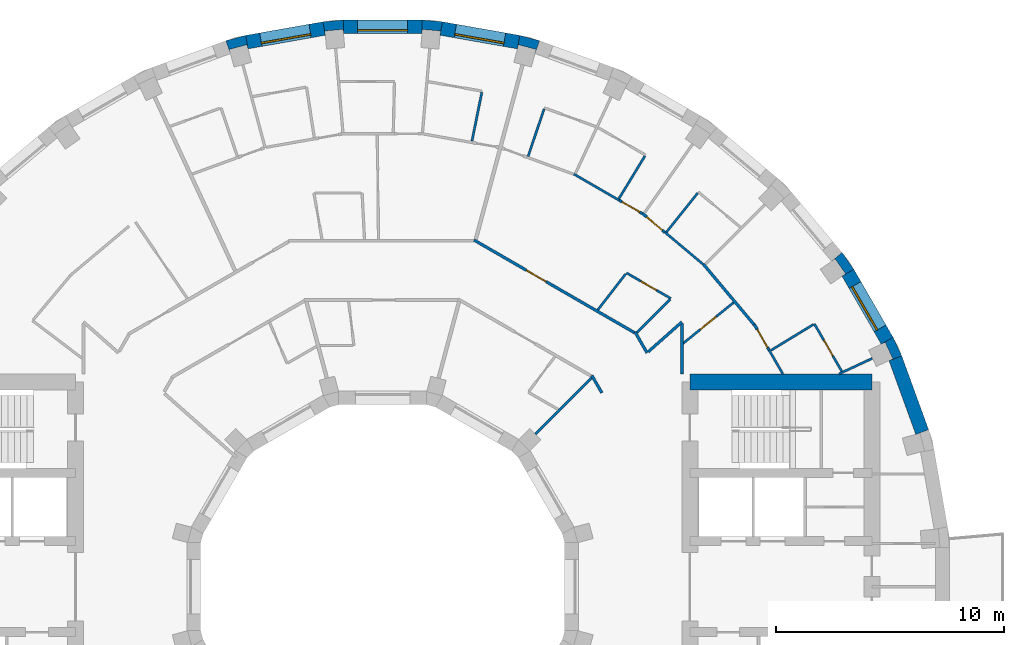
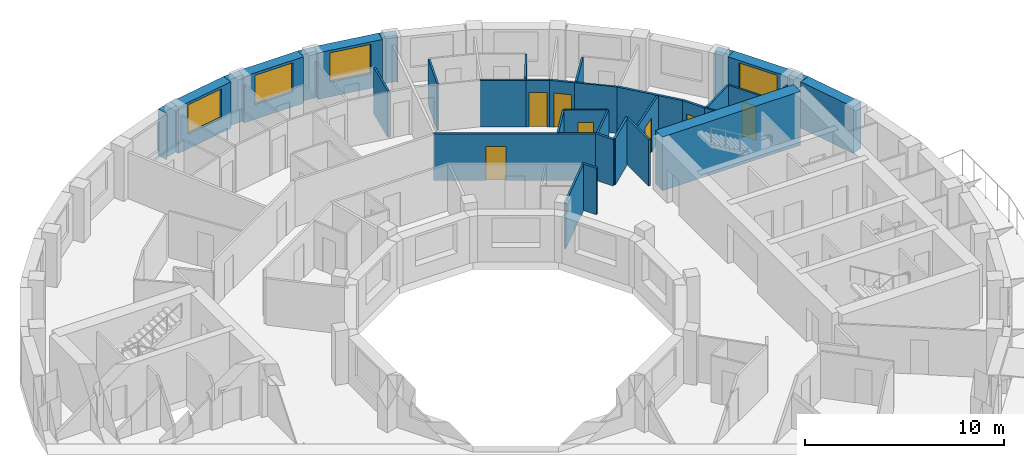
# One storey, part 12 of 14: 36 walls, 7 doors, 4 windows, 11 openings.
"""IFC4 building model written with IfcOpenShell, lengths in metres."""

import ifcopenshell
import ifcopenshell.guid

model = None  # the IFC model being written
_history = None  # IfcOwnerHistory: only IFC2X3 demands one
_inside = {}  # id of a spatial element -> (the spatial element, [elements in it])
_under = {}  # id of a project, library or spatial element -> (it, [spatial elements below it])
_declared = {}  # id of a project -> (the project, [libraries it declares])
_typed = {}  # id of a type object -> (the type object, [elements of that type])
_made_of = {}  # id of a material, layer set ... -> (it, [elements and type objects made of it])


def new_model(schema):
    """Start an empty IFC model of exactly this schema.

    Asked for "IFC4X3", IfcOpenShell would pick the latest addendum, in which some entities
    have other attributes; the version numbers below select the first issue.
    IFC2X3 requires an IfcOwnerHistory on every rooted entity: one is made here for all.
    """
    global model, _history
    if schema == "IFC4X3":
        model = ifcopenshell.file(schema_version=(4, 3, 0, 0))
    else:
        model = ifcopenshell.file(schema=schema)
    _inside.clear()
    _under.clear()
    _declared.clear()
    _typed.clear()
    _made_of.clear()
    _history = None
    if model.schema == "IFC2X3":
        org = make("IfcOrganization", Name="unknown")
        user = make(
            "IfcPersonAndOrganization",
            ThePerson=make("IfcPerson", FamilyName="unknown"),
            TheOrganization=org,
        )
        app = make(
            "IfcApplication",
            ApplicationDeveloper=org,
            Version="unknown",
            ApplicationFullName="unknown",
            ApplicationIdentifier="unknown",
        )
        _history = make(
            "IfcOwnerHistory",
            OwningUser=user,
            OwningApplication=app,
            ChangeAction="ADDED",
            CreationDate=0,
        )
    return model


def make(cls, **values):
    """One entity of the class cls with the attributes given. An attribute that is None is left unset."""
    return model.create_entity(
        cls, **{name: value for name, value in values.items() if value is not None}
    )


def rooted(cls, **values):
    """An entity with a GlobalId (a new one), such as an element, a storey or a relation."""
    return make(cls, GlobalId=ifcopenshell.guid.new(), OwnerHistory=_history, **values)


def si_unit(unit_type, name, prefix=None):
    """IfcSIUnit, for example si_unit("LENGTHUNIT", "METRE", prefix="MILLI")."""
    return make("IfcSIUnit", UnitType=unit_type, Prefix=prefix, Name=name)


def assignment(units):
    """IfcUnitAssignment: the units of a project."""
    return None if units is None else make("IfcUnitAssignment", Units=units)


def point(xyz):
    """IfcCartesianPoint."""
    return None if xyz is None else make("IfcCartesianPoint", Coordinates=xyz)


def direction(xyz):
    """IfcDirection."""
    return None if xyz is None else make("IfcDirection", DirectionRatios=xyz)


def frame(location, z_axis=None, x_axis=None):
    """IfcAxis2Placement3D, a coordinate frame: its origin and axes. An axis left out is left unset."""
    return make(
        "IfcAxis2Placement3D",
        Location=point(location),
        Axis=direction(z_axis),
        RefDirection=direction(x_axis),
    )


def frame_2d(location, x_axis=None):
    """IfcAxis2Placement2D, a coordinate frame in the plane: its origin and x axis."""
    return make(
        "IfcAxis2Placement2D", Location=point(location), RefDirection=direction(x_axis)
    )


def origin():
    """The frame at (0, 0, 0) with its axes left unset."""
    return frame((0.0, 0.0, 0.0))


def place(relative_to, where):
    """IfcLocalPlacement: puts the frame where relative to a parent placement (None: the world)."""
    return make(
        "IfcLocalPlacement", PlacementRelTo=relative_to, RelativePlacement=where
    )


def context(
    kind, dimensions, precision=None, world=None, true_north=None, identifier=None
):
    """IfcGeometricRepresentationContext, for example the 3D "Model" context."""
    return make(
        "IfcGeometricRepresentationContext",
        ContextIdentifier=identifier,
        ContextType=kind,
        CoordinateSpaceDimension=dimensions,
        Precision=precision,
        WorldCoordinateSystem=world,
        TrueNorth=true_north,
    )


def subcontext(parent, identifier, kind, view, scale=None):
    """IfcGeometricRepresentationSubContext, for example "Body" below "Model"."""
    return make(
        "IfcGeometricRepresentationSubContext",
        ContextIdentifier=identifier,
        ContextType=kind,
        ParentContext=parent,
        TargetScale=scale,
        TargetView=view,
    )


def project(units=None, contexts=None):
    """IfcProject with its units and contexts."""
    return rooted(
        "IfcProject",
        Name="project",
        RepresentationContexts=contexts,
        UnitsInContext=assignment(units),
    )


def spatial(cls, under=None, at=None, **own):
    """A site, building, storey or space (cls), placed at a placement, below another one or the project."""
    s = rooted(cls, ObjectPlacement=at, **own)
    if under is not None:
        _under.setdefault(under.id(), (under, []))[1].append(s)
    return s


def polyline(points):
    """IfcPolyline through the points."""
    return make("IfcPolyline", Points=[point(p) for p in points])


def profile(cls, at=None, kind="AREA", **sizes):
    """A parametric profile (cls). Its sizes go by their IFC names, for example OverallWidth=200.0."""
    return make(cls, ProfileType=kind, Position=at, **sizes)


def rectangle(**sizes):
    """IfcRectangleProfileDef."""
    return profile("IfcRectangleProfileDef", **sizes)


def outline(outer, holes=None, kind="AREA"):
    """IfcArbitraryClosedProfileDef: a profile drawn as a closed curve; with holes, ...WithVoids."""
    if holes is None:
        return make("IfcArbitraryClosedProfileDef", ProfileType=kind, OuterCurve=outer)
    return make(
        "IfcArbitraryProfileDefWithVoids",
        ProfileType=kind,
        OuterCurve=outer,
        InnerCurves=holes,
    )


def extrude(swept, where, along, depth):
    """IfcExtrudedAreaSolid: the profile swept, set in the frame where, extruded along a direction by depth."""
    return make(
        "IfcExtrudedAreaSolid",
        SweptArea=swept,
        Position=where,
        ExtrudedDirection=direction(along),
        Depth=depth,
    )


def shape(context_of_items, identifier, shape_type, items):
    """IfcShapeRepresentation: the items that make up one representation, for example the "Body"."""
    return make(
        "IfcShapeRepresentation",
        ContextOfItems=context_of_items,
        RepresentationIdentifier=identifier,
        RepresentationType=shape_type,
        Items=items,
    )


def material(Name=None, Category=None):
    """IfcMaterial."""
    return make("IfcMaterial", Name=Name, Category=Category)


def layer(
    of_material, thickness, ventilated=None, Name=None, Category=None, Priority=None
):
    """IfcMaterialLayer: one layer of a wall or slab, of a material (None: an air gap)."""
    return make(
        "IfcMaterialLayer",
        Material=of_material,
        LayerThickness=thickness,
        IsVentilated=ventilated,
        Name=Name,
        Category=Category,
        Priority=Priority,
    )


def layer_set(layers, Name=None):
    """IfcMaterialLayerSet."""
    return make("IfcMaterialLayerSet", MaterialLayers=layers, LayerSetName=Name)


def made_of(thing, what):
    """Note that an element or type object is made of a material, layer set ...; save() writes the relation."""
    if what is not None:
        _made_of.setdefault(what.id(), (what, []))[1].append(thing)
    return thing


def type_object(cls, material=None, **own):
    """A type object (cls), such as IfcWallType, which elements share."""
    return made_of(rooted(cls, **own), material)


def element(
    cls,
    number,
    at=None,
    inside=None,
    cuts=None,
    type_object=None,
    material=None,
    context=None,
    identifier="Body",
    shape_type=None,
    held_by="IfcProductDefinitionShape",
    body=None,
    shapes=None,
    **own,
):
    """One element of the class cls, such as IfcWall. Its Tag is "e" and its number.

    at: its placement. inside: the storey or other place that contains it. cuts: it is an
    opening in that element (IfcRelVoidsElement). A single representation is given by context,
    identifier, shape_type and body (its items); several are given by shapes. held_by: the class
    of the entity that holds the representations. save() writes the other relations.
    """
    e = rooted(cls, Tag="e%d" % number, ObjectPlacement=at, **own)
    if body is not None:
        shapes = [shape(context, identifier, shape_type, body)]
    if shapes is not None:
        e.Representation = make(held_by, Representations=shapes)
    if inside is not None:
        _inside.setdefault(inside.id(), (inside, []))[1].append(e)
    if cuts is not None:
        rooted(
            "IfcRelVoidsElement", RelatingBuildingElement=cuts, RelatedOpeningElement=e
        )
    if type_object is not None:
        _typed.setdefault(type_object.id(), (type_object, []))[1].append(e)
    return made_of(e, material)


def fill(opening, filler):
    """IfcRelFillsElement: the door or window that sits in an opening."""
    return rooted(
        "IfcRelFillsElement",
        RelatingOpeningElement=opening,
        RelatedBuildingElement=filler,
    )


def aggregate(whole, parts):
    """IfcRelAggregates: a whole, such as a stair, and the parts it consists of."""
    return rooted("IfcRelAggregates", RelatingObject=whole, RelatedObjects=parts)


def save(model, path):
    """Write the relations noted so far, then the file.

    IfcRelAggregates (storeys below a building ...), IfcRelContainedInSpatialStructure (elements
    in a storey), IfcRelDefinesByType, IfcRelAssociatesMaterial and IfcRelDeclares: one each for
    every whole, place, type object, material and project.
    """
    for whole, parts in _under.values():
        aggregate(whole, parts)
    for where, things in _inside.values():
        rooted(
            "IfcRelContainedInSpatialStructure",
            RelatedElements=things,
            RelatingStructure=where,
        )
    for kind, things in _typed.values():
        rooted("IfcRelDefinesByType", RelatedObjects=things, RelatingType=kind)
    for what, things in _made_of.values():
        rooted("IfcRelAssociatesMaterial", RelatedObjects=things, RelatingMaterial=what)
    for by, libraries in _declared.values():
        rooted("IfcRelDeclares", RelatingContext=by, RelatedDefinitions=libraries)
    model.write(path)


model = new_model("IFC4")

# Units and contexts
model_context = context("Model", 3, precision=1e-05, world=origin(), true_north=direction((0.0, 1.0)))
body_context = subcontext(model_context, "Body", "Model", "MODEL_VIEW")
ifc_project = project(units=[si_unit("LENGTHUNIT", "METRE"), si_unit("AREAUNIT", "SQUARE_METRE"), si_unit("VOLUMEUNIT", "CUBIC_METRE"), si_unit("PLANEANGLEUNIT", "RADIAN"), si_unit("MASSUNIT", "GRAM", prefix="KILO")], contexts=[model_context])

# Site, building, storey
site_placement = place(None, origin())
site = spatial("IfcSite", under=ifc_project, at=site_placement, CompositionType="ELEMENT")
building_placement = place(site_placement, origin())
building = spatial("IfcBuilding", under=site, at=building_placement, Name="Saqina Gate Tower", CompositionType="ELEMENT")
storey_placement = place(building_placement, frame((0.0, 0.0, 170.699951171875)))
storey = spatial("IfcBuildingStorey", under=building, at=storey_placement, Name="L48", CompositionType="ELEMENT", Elevation=170.699951171875)

# Walls
ifc_material_1 = material(Name="Brick masonry (buff)", Category="masonry")
wall_type_1 = type_object("IfcWallType", Name="BRICK PIER COPING BUFF", PredefinedType="SOLIDWALL", material=ifc_material_1)
wall_1_placement = place(storey_placement, origin())
element("IfcWall", 1, at=wall_1_placement, inside=storey, type_object=wall_type_1, Name="Pier cap L48 column 3", PredefinedType="SOLIDWALL", context=body_context, shape_type="SweptSolid", body=[
    extrude(outline(polyline([(22.4306640625, 10.958740234375), (21.9111328125, 10.65869140625), (22.080810546875, 10.73779296875), (22.4189453125, 10.0126953125), (22.249267578125, 9.93359375), (22.81298828125, 10.138916015625), (22.4306640625, 10.958740234375)])), origin(), (0.0, 0.0, 1.0), 2.85009765625),
])
wall_2_placement = place(storey_placement, origin())
element("IfcWall", 2, at=wall_2_placement, inside=storey, type_object=wall_type_1, Name="Pier cap L48 column 4", PredefinedType="SOLIDWALL", context=body_context, shape_type="SweptSolid", body=[
    extrude(outline(polyline([(20.705810546875, 13.9462890625), (20.18701171875, 14.687255859375), (19.727294921875, 14.301513671875), (19.880859375, 14.408935546875), (20.339599609375, 13.753662109375), (20.186279296875, 13.646240234375), (20.705810546875, 13.9462890625)])), origin(), (0.0, 0.0, 1.0), 2.85009765625),
])
wall_3_placement = place(storey_placement, origin())
element("IfcWall", 3, at=wall_3_placement, inside=storey, type_object=wall_type_1, Name="Pier cap L48 column 8", PredefinedType="SOLIDWALL", context=body_context, shape_type="SweptSolid", body=[
    extrude(outline(polyline([(6.0234375, 24.22705078125), (5.919189453125, 23.635986328125), (5.967529296875, 23.81689453125), (6.740478515625, 23.610107421875), (6.69189453125, 23.428955078125), (6.897216796875, 23.992919921875), (6.0234375, 24.22705078125)])), origin(), (0.0, 0.0, 1.0), 2.85009765625),
])
wall_4_placement = place(storey_placement, origin())
element("IfcWall", 4, at=wall_4_placement, inside=storey, type_object=wall_type_1, Name="Pier cap L48 column 9", PredefinedType="SOLIDWALL", context=body_context, shape_type="SweptSolid", body=[
    extrude(outline(polyline([(2.6259765625, 24.825927734375), (1.724853515625, 24.90478515625), (1.724853515625, 24.304931640625), (1.7412109375, 24.491455078125), (2.5380859375, 24.421630859375), (2.521728515625, 24.235107421875), (2.6259765625, 24.825927734375)])), origin(), (0.0, 0.0, 1.0), 2.85009765625),
])
wall_5_placement = place(storey_placement, origin())
element("IfcWall", 5, at=wall_5_placement, inside=storey, type_object=wall_type_1, Name="Pier cap L48 column 10", PredefinedType="SOLIDWALL", context=body_context, shape_type="SweptSolid", body=[
    extrude(outline(polyline([(-1.724853515625, 24.90478515625), (-2.6259765625, 24.825927734375), (-2.521728515625, 24.235107421875), (-2.5380859375, 24.421630859375), (-1.7412109375, 24.491455078125), (-1.724853515625, 24.304931640625), (-1.724853515625, 24.90478515625)])), origin(), (0.0, 0.0, 1.0), 2.85009765625),
])
wall_6_placement = place(storey_placement, origin())
element("IfcWall", 6, at=wall_6_placement, inside=storey, type_object=wall_type_1, Name="Pier cap L48 column 11", PredefinedType="SOLIDWALL", context=body_context, shape_type="SweptSolid", body=[
    extrude(outline(polyline([(-6.0234375, 24.22705078125), (-6.897216796875, 23.992919921875), (-6.69189453125, 23.428955078125), (-6.740478515625, 23.610107421875), (-5.967529296875, 23.81689453125), (-5.919189453125, 23.635986328125), (-6.0234375, 24.22705078125)])), origin(), (0.0, 0.0, 1.0), 2.85009765625),
])

# Wall, opening, window
ifc_material_2 = material(Name="Brick masonry (buff)", Category="masonry")
ifc_layer_1 = layer(ifc_material_2, 0.60009765625)
ifc_layer_set_1 = layer_set([ifc_layer_1], Name="FW-BRICK-BUFF")
wall_type_2 = type_object("IfcWallType", Name="FW-BRICK-BUFF", PredefinedType="SOLIDWALL", material=ifc_layer_set_1)
wall_7_placement = place(storey_placement, frame((22.1708984375, 10.80859375, 0.0), z_axis=(0.0, 0.0, 1.0), x_axis=(-0.499998129301, 0.86602648383, 0.0)))
wall_7 = element("IfcWall", 7, at=wall_7_placement, inside=storey, type_object=wall_type_2, Name="Facade wall L48 facet 3", PredefinedType="SOLIDWALL", context=body_context, shape_type="SweptSolid", body=[
    extrude(rectangle(XDim=3.44970703125, YDim=0.60009765625, at=frame_2d((1.724853515625, 0.0))), origin(), (0.0, 0.0, 1.0), 2.85009765625),
])
opening_1_placement = place(wall_7_placement, frame((0.625, 0.0, 0.89990234375)))
opening_1 = element("IfcOpeningElement", 8, at=opening_1_placement, cuts=wall_7, Name="Opening G14-W01", PredefinedType="OPENING", context=body_context, shape_type="SweptSolid", body=[
    extrude(rectangle(XDim=2.199951171875, YDim=1.800048828125, at=frame_2d((1.10009765625, 0.89990234375))), frame((0.0, 0.31201171875, 0.0), z_axis=(0.0, -1.0, 0.0), x_axis=(1.0, 0.0, 0.0)), (0.0, 0.0, 1.0), 0.6240234375),
])
ifc_material_3 = material(Name="Aluminium glazing", Category="aluminium")
window_type = type_object("IfcWindowType", Name="WN-C", PartitioningType="SINGLE_PANEL", PredefinedType="WINDOW", material=ifc_material_3)
window_1_placement = place(opening_1_placement, origin())
window_1 = element("IfcWindow", 9, at=window_1_placement, inside=storey, type_object=window_type, Name="Window L48 facet 3", OverallHeight=1.800048828125, OverallWidth=2.199951171875, PartitioningType="SINGLE_PANEL", PredefinedType="WINDOW", context=body_context, shape_type="SweptSolid", body=[
    extrude(rectangle(XDim=2.199951171875, YDim=1.800048828125, at=frame_2d((1.10009765625, 0.89990234375))), frame((0.0, 0.179931640625, 0.0), z_axis=(0.0, -1.0, 0.0), x_axis=(1.0, 0.0, 0.0)), (0.0, 0.0, 1.0), 0.06005859375),
])
fill(opening_1, window_1)

wall_8_placement = place(storey_placement, frame((5.97119140625, 23.931640625, 0.0), z_axis=(0.0, 0.0, 1.0), x_axis=(-0.984814892183, 0.173607684551, 0.0)))
wall_8 = element("IfcWall", 10, at=wall_8_placement, inside=storey, type_object=wall_type_2, Name="Facade wall L48 facet 8", PredefinedType="SOLIDWALL", context=body_context, shape_type="SweptSolid", body=[
    extrude(rectangle(XDim=3.44970703125, YDim=0.60009765625, at=frame_2d((1.724853515625, 0.0))), origin(), (0.0, 0.0, 1.0), 2.85009765625),
])
opening_2_placement = place(wall_8_placement, frame((0.625, 0.0, 0.89990234375)))
opening_2 = element("IfcOpeningElement", 11, at=opening_2_placement, cuts=wall_8, Name="Opening G14-W06", PredefinedType="OPENING", context=body_context, shape_type="SweptSolid", body=[
    extrude(rectangle(XDim=2.199951171875, YDim=1.800048828125, at=frame_2d((1.10009765625, 0.89990234375))), frame((0.0, 0.31201171875, 0.0), z_axis=(0.0, -1.0, 0.0), x_axis=(1.0, 0.0, 0.0)), (0.0, 0.0, 1.0), 0.6240234375),
])
window_2_placement = place(opening_2_placement, origin())
window_2 = element("IfcWindow", 12, at=window_2_placement, inside=storey, type_object=window_type, Name="Window L48 facet 8", OverallHeight=1.800048828125, OverallWidth=2.199951171875, PartitioningType="SINGLE_PANEL", PredefinedType="WINDOW", context=body_context, shape_type="SweptSolid", body=[
    extrude(rectangle(XDim=2.199951171875, YDim=1.800048828125, at=frame_2d((1.10009765625, 0.89990234375))), frame((0.0, 0.179931640625, 0.0), z_axis=(0.0, -1.0, 0.0), x_axis=(1.0, 0.0, 0.0)), (0.0, 0.0, 1.0), 0.06005859375),
])
fill(opening_2, window_2)

wall_9_placement = place(storey_placement, frame((1.724853515625, 24.60498046875, 0.0), z_axis=(0.0, 0.0, 1.0), x_axis=(-1.0, 0.0, 0.0)))
wall_9 = element("IfcWall", 13, at=wall_9_placement, inside=storey, type_object=wall_type_2, Name="Facade wall L48 facet 9", PredefinedType="SOLIDWALL", context=body_context, shape_type="SweptSolid", body=[
    extrude(rectangle(XDim=3.44970703125, YDim=0.60009765625, at=frame_2d((1.724853515625, 0.0))), origin(), (0.0, 0.0, 1.0), 2.85009765625),
])
opening_3_placement = place(wall_9_placement, frame((0.625, 0.0, 0.89990234375)))
opening_3 = element("IfcOpeningElement", 14, at=opening_3_placement, cuts=wall_9, Name="Opening G14-W07", PredefinedType="OPENING", context=body_context, shape_type="SweptSolid", body=[
    extrude(rectangle(XDim=2.199951171875, YDim=1.800048828125, at=frame_2d((1.10009765625, 0.89990234375))), frame((0.0, 0.31201171875, 0.0), z_axis=(0.0, -1.0, 0.0), x_axis=(1.0, 0.0, 0.0)), (0.0, 0.0, 1.0), 0.6240234375),
])
window_3_placement = place(opening_3_placement, origin())
window_3 = element("IfcWindow", 15, at=window_3_placement, inside=storey, type_object=window_type, Name="Window L48 facet 9", OverallHeight=1.800048828125, OverallWidth=2.199951171875, PartitioningType="SINGLE_PANEL", PredefinedType="WINDOW", context=body_context, shape_type="SweptSolid", body=[
    extrude(rectangle(XDim=2.199951171875, YDim=1.800048828125, at=frame_2d((1.10009765625, 0.89990234375))), frame((0.0, 0.179931640625, 0.0), z_axis=(0.0, -1.0, 0.0), x_axis=(1.0, 0.0, 0.0)), (0.0, 0.0, 1.0), 0.06005859375),
])
fill(opening_3, window_3)

wall_10_placement = place(storey_placement, frame((-2.573974609375, 24.530517578125, 0.0), z_axis=(0.0, 0.0, 1.0), x_axis=(-0.984814892183, -0.173607684551, 0.0)))
wall_10 = element("IfcWall", 16, at=wall_10_placement, inside=storey, type_object=wall_type_2, Name="Facade wall L48 facet 10", PredefinedType="SOLIDWALL", context=body_context, shape_type="SweptSolid", body=[
    extrude(rectangle(XDim=3.44970703125, YDim=0.60009765625, at=frame_2d((1.724853515625, 0.0))), origin(), (0.0, 0.0, 1.0), 2.85009765625),
])
opening_4_placement = place(wall_10_placement, frame((0.625, 0.0, 0.89990234375)))
opening_4 = element("IfcOpeningElement", 17, at=opening_4_placement, cuts=wall_10, Name="Opening G14-W08", PredefinedType="OPENING", context=body_context, shape_type="SweptSolid", body=[
    extrude(rectangle(XDim=2.199951171875, YDim=1.800048828125, at=frame_2d((1.10009765625, 0.89990234375))), frame((0.0, 0.31201171875, 0.0), z_axis=(0.0, -1.0, 0.0), x_axis=(1.0, 0.0, 0.0)), (0.0, 0.0, 1.0), 0.6240234375),
])
window_4_placement = place(opening_4_placement, origin())
window_4 = element("IfcWindow", 18, at=window_4_placement, inside=storey, type_object=window_type, Name="Window L48 facet 10", OverallHeight=1.800048828125, OverallWidth=2.199951171875, PartitioningType="SINGLE_PANEL", PredefinedType="WINDOW", context=body_context, shape_type="SweptSolid", body=[
    extrude(rectangle(XDim=2.199951171875, YDim=1.800048828125, at=frame_2d((1.10009765625, 0.89990234375))), frame((0.0, 0.179931640625, 0.0), z_axis=(0.0, -1.0, 0.0), x_axis=(1.0, 0.0, 0.0)), (0.0, 0.0, 1.0), 0.06005859375),
])
fill(opening_4, window_4)

# Walls
ifc_material_4 = material(Name="Glazed ceramic tile (dark blue)", Category="ceramic")
ifc_layer_2 = layer(ifc_material_4, 0.60009765625)
ifc_layer_set_2 = layer_set([ifc_layer_2], Name="FW-TILE-CB")
wall_type_3 = type_object("IfcWallType", Name="FW-TILE-CB", PredefinedType="SOLIDWALL", material=ifc_layer_set_2)
wall_11_placement = place(storey_placement, frame((23.7109375, 6.79443359375, 0.0), z_axis=(0.0, 0.0, 1.0), x_axis=(-0.342032843455, 0.93968799822, 0.0)))
element("IfcWall", 19, at=wall_11_placement, inside=storey, type_object=wall_type_3, Name="Facade wall L48 facet 2", PredefinedType="SOLIDWALL", context=body_context, shape_type="SweptSolid", body=[
    extrude(rectangle(XDim=3.44970703125, YDim=0.60009765625, at=frame_2d((1.724853515625, 0.0))), origin(), (0.0, 0.0, 1.0), 2.85009765625),
])
ifc_material_5 = material(Name="Gypsum board on steel studs, 100 mm", Category="steel")
ifc_layer_3 = layer(ifc_material_5, 0.10009765625)
ifc_layer_set_3 = layer_set([ifc_layer_3], Name="PARTITION 100")
wall_type_4 = type_object("IfcWallType", Name="PARTITION 100", PredefinedType="PARTITIONING", material=ifc_layer_set_3)
wall_12_placement = place(storey_placement, frame((16.9814453125, 10.397216796875, 0.0), z_axis=(0.0, 0.0, 1.0), x_axis=(0.499961335607, -0.866047725532, 0.0)))
element("IfcWall", 20, at=wall_12_placement, inside=storey, type_object=wall_type_4, Name="PARTITION PW3-22", PredefinedType="PARTITIONING", context=body_context, shape_type="SweptSolid", body=[
    extrude(rectangle(XDim=1.208984375, YDim=0.10009765625, at=frame_2d((0.6044921875, 0.0))), origin(), (0.0, 0.0, 1.0), 2.85009765625),
])

# Wall, opening, door
wall_13_placement = place(storey_placement, frame((18.971923828125, 11.550048828125, 0.0), z_axis=(0.0, 0.0, 1.0), x_axis=(0.499628829129, -0.866239593359, 0.0)))
wall_13 = element("IfcWall", 21, at=wall_13_placement, inside=storey, type_object=wall_type_4, Name="PARTITION PW3-23", PredefinedType="PARTITIONING", context=body_context, shape_type="SweptSolid", body=[
    extrude(rectangle(XDim=2.407958984375, YDim=0.10009765625, at=frame_2d((1.2041015625, 0.0))), origin(), (0.0, 0.0, 1.0), 2.85009765625),
])
opening_5_placement = place(wall_13_placement, frame((0.830078125, 0.0, 0.0)))
opening_5 = element("IfcOpeningElement", 22, at=opening_5_placement, cuts=wall_13, Name="Opening G14-D01", PredefinedType="OPENING", context=body_context, shape_type="SweptSolid", body=[
    extrude(rectangle(XDim=0.800048828125, YDim=2.10009765625, at=frame_2d((0.39990234375, 1.050048828125))), frame((0.0, 0.06201171875, 0.0), z_axis=(0.0, -1.0, 0.0), x_axis=(1.0, 0.0, 0.0)), (0.0, 0.0, 1.0), 0.1240234375),
])
ifc_material_6 = material(Name="Timber door leaf, 800 mm", Category="wood")
door_type_1 = type_object("IfcDoorType", Name="DOOR 800 TIMBER", OperationType="SINGLE_SWING_LEFT", PredefinedType="DOOR", material=ifc_material_6)
door_1_placement = place(opening_5_placement, origin())
door_1 = element("IfcDoor", 23, at=door_1_placement, inside=storey, type_object=door_type_1, Name="DOOR G14-D01", OperationType="SINGLE_SWING_RIGHT", OverallHeight=2.10009765625, OverallWidth=0.800048828125, PredefinedType="DOOR", context=body_context, shape_type="SweptSolid", body=[
    extrude(rectangle(XDim=0.800048828125, YDim=2.10009765625, at=frame_2d((0.39990234375, 1.050048828125))), frame((0.0, 0.02490234375, 0.0), z_axis=(0.0, -1.0, 0.0), x_axis=(1.0, 0.0, 0.0)), (0.0, 0.0, 1.0), 0.050048828125),
])
fill(opening_5, door_1)

# Walls
wall_14_placement = place(storey_placement, frame((12.4013671875, 15.577880859375, 0.0), z_axis=(0.0, 0.0, 1.0), x_axis=(0.766209231034, -0.642591171958, 0.0)))
element("IfcWall", 24, at=wall_14_placement, inside=storey, type_object=wall_type_4, Name="PARTITION PW3-30", PredefinedType="PARTITIONING", context=body_context, shape_type="SweptSolid", body=[
    extrude(rectangle(XDim=2.192138671875, YDim=0.10009765625, at=frame_2d((1.09619140625, 0.0))), origin(), (0.0, 0.0, 1.0), 2.85009765625),
])
wall_15_placement = place(storey_placement, frame((8.400146484375, 18.134521484375, 0.0), z_axis=(0.0, 0.0, 1.0), x_axis=(0.86526186487, -0.501320162373, 0.0)))
element("IfcWall", 25, at=wall_15_placement, inside=storey, type_object=wall_type_4, Name="PARTITION PW3-35", PredefinedType="PARTITIONING", context=body_context, shape_type="SweptSolid", body=[
    extrude(rectangle(XDim=2.304931640625, YDim=0.10009765625, at=frame_2d((1.15234375, 0.0))), origin(), (0.0, 0.0, 1.0), 2.85009765625),
])

# Wall, opening, door
wall_16_placement = place(storey_placement, frame((10.714111328125, 13.7900390625, 0.0), z_axis=(0.0, 0.0, 1.0), x_axis=(0.865992377614, -0.500057198642, 0.0)))
wall_16 = element("IfcWall", 26, at=wall_16_placement, inside=storey, type_object=wall_type_4, Name="PARTITION PW3-40", PredefinedType="PARTITIONING", context=body_context, shape_type="SweptSolid", body=[
    extrude(rectangle(XDim=2.251708984375, YDim=0.10009765625, at=frame_2d((1.1259765625, 0.0))), origin(), (0.0, 0.0, 1.0), 2.85009765625),
])
opening_6_placement = place(wall_16_placement, frame((0.725830078125, 0.0, 0.0)))
opening_6 = element("IfcOpeningElement", 27, at=opening_6_placement, cuts=wall_16, Name="Opening G14-D05", PredefinedType="OPENING", context=body_context, shape_type="SweptSolid", body=[
    extrude(rectangle(XDim=0.800048828125, YDim=2.10009765625, at=frame_2d((0.39990234375, 1.050048828125))), frame((0.0, 0.06201171875, 0.0), z_axis=(0.0, -1.0, 0.0), x_axis=(1.0, 0.0, 0.0)), (0.0, 0.0, 1.0), 0.1240234375),
])
door_2_placement = place(opening_6_placement, origin())
door_2 = element("IfcDoor", 28, at=door_2_placement, inside=storey, type_object=door_type_1, Name="DOOR G14-D05", OperationType="SINGLE_SWING_RIGHT", OverallHeight=2.10009765625, OverallWidth=0.800048828125, PredefinedType="DOOR", context=body_context, shape_type="SweptSolid", body=[
    extrude(rectangle(XDim=0.800048828125, YDim=2.10009765625, at=frame_2d((0.39990234375, 1.050048828125))), frame((0.0, 0.02490234375, 0.0), z_axis=(0.0, -1.0, 0.0), x_axis=(1.0, 0.0, 0.0)), (0.0, 0.0, 1.0), 0.050048828125),
])
fill(opening_6, door_2)

# Walls
wall_17_placement = place(storey_placement, frame((20.051025390625, 9.35009765625, 0.0), z_axis=(0.0, 0.0, 1.0), x_axis=(0.90621401133, 0.42281930617, 0.0)))
element("IfcWall", 29, at=wall_17_placement, inside=storey, type_object=wall_type_4, Name="PARTITION PW3-66", PredefinedType="PARTITIONING", context=body_context, shape_type="SweptSolid", body=[
    extrude(rectangle(XDim=1.6162109375, YDim=0.10009765625, at=frame_2d((0.80810546875, 0.0))), origin(), (0.0, 0.0, 1.0), 2.85009765625),
])
wall_18_placement = place(storey_placement, frame((17.060302734375, 10.385498046875, 0.0), z_axis=(0.0, 0.0, 1.0), x_axis=(0.854045436393, 0.520198416545, 0.0)))
element("IfcWall", 30, at=wall_18_placement, inside=storey, type_object=wall_type_4, Name="PARTITION PW3-72", PredefinedType="PARTITIONING", context=body_context, shape_type="SweptSolid", body=[
    extrude(rectangle(XDim=2.1865234375, YDim=0.10009765625, at=frame_2d((1.09326171875, 0.0))), origin(), (0.0, 0.0, 1.0), 2.85009765625),
])

# Wall, opening, door
wall_19_placement = place(storey_placement, frame((13.198486328125, 10.688232421875, 0.0), z_axis=(0.0, 0.0, 1.0), x_axis=(0.777201155745, 0.629252225669, 0.0)))
wall_19 = element("IfcWall", 31, at=wall_19_placement, inside=storey, type_object=wall_type_4, Name="PARTITION PW3-75", PredefinedType="PARTITIONING", context=body_context, shape_type="SweptSolid", body=[
    extrude(rectangle(XDim=2.861328125, YDim=0.10009765625, at=frame_2d((1.4306640625, 0.0))), origin(), (0.0, 0.0, 1.0), 2.85009765625),
])
opening_7_placement = place(wall_19_placement, frame((0.980712890625, 0.0, 0.0)))
opening_7 = element("IfcOpeningElement", 32, at=opening_7_placement, cuts=wall_19, Name="Opening G14-D03", PredefinedType="OPENING", context=body_context, shape_type="SweptSolid", body=[
    extrude(rectangle(XDim=0.89990234375, YDim=2.10009765625, at=frame_2d((0.449951171875, 1.050048828125))), frame((0.0, 0.06201171875, 0.0), z_axis=(0.0, -1.0, 0.0), x_axis=(1.0, 0.0, 0.0)), (0.0, 0.0, 1.0), 0.1240234375),
])
ifc_material_7 = material(Name="Timber door leaf, 900 mm", Category="wood")
door_type_2 = type_object("IfcDoorType", Name="DOOR 900 TIMBER", OperationType="SINGLE_SWING_LEFT", PredefinedType="DOOR", material=ifc_material_7)
door_3_placement = place(opening_7_placement, origin())
door_3 = element("IfcDoor", 33, at=door_3_placement, inside=storey, type_object=door_type_2, Name="DOOR G14-D03", OperationType="SINGLE_SWING_LEFT", OverallHeight=2.10009765625, OverallWidth=0.89990234375, PredefinedType="DOOR", context=body_context, shape_type="SweptSolid", body=[
    extrude(rectangle(XDim=0.89990234375, YDim=2.10009765625, at=frame_2d((0.449951171875, 1.050048828125))), frame((0.0, 0.02490234375, 0.0), z_axis=(0.0, -1.0, 0.0), x_axis=(1.0, 0.0, 0.0)), (0.0, 0.0, 1.0), 0.050048828125),
])
fill(opening_7, door_3)

# Walls
wall_20_placement = place(storey_placement, frame((6.7119140625, 6.7119140625, 0.0), z_axis=(0.0, 0.0, 1.0), x_axis=(0.707106781187, 0.707106781187, 0.0)))
element("IfcWall", 34, at=wall_20_placement, inside=storey, type_object=wall_type_4, Name="PARTITION PW3-79", PredefinedType="PARTITIONING", context=body_context, shape_type="SweptSolid", body=[
    extrude(rectangle(XDim=3.489990234375, YDim=0.10009765625, at=frame_2d((1.7451171875, 0.0))), origin(), (0.0, 0.0, 1.0), 2.85009765625),
])
wall_21_placement = place(storey_placement, frame((11.171142578125, 11.171142578125, 0.0), z_axis=(0.0, 0.0, 1.0), x_axis=(0.707106781187, 0.707106781187, 0.0)))
element("IfcWall", 35, at=wall_21_placement, inside=storey, type_object=wall_type_4, Name="PARTITION PW3-80", PredefinedType="PARTITIONING", context=body_context, shape_type="SweptSolid", body=[
    extrude(rectangle(XDim=2.061279296875, YDim=0.10009765625, at=frame_2d((1.03076171875, 0.0))), origin(), (0.0, 0.0, 1.0), 2.85009765625),
])
wall_22_placement = place(storey_placement, frame((12.47119140625, 15.5849609375, 0.0), z_axis=(0.0, 0.0, 1.0), x_axis=(0.624722111344, 0.780847157642, 0.0)))
element("IfcWall", 36, at=wall_22_placement, inside=storey, type_object=wall_type_4, Name="PARTITION PW3-85", PredefinedType="PARTITIONING", context=body_context, shape_type="SweptSolid", body=[
    extrude(rectangle(XDim=2.2001953125, YDim=0.10009765625, at=frame_2d((1.10009765625, 0.0))), origin(), (0.0, 0.0, 1.0), 2.85009765625),
])
wall_23_placement = place(storey_placement, frame((9.452392578125, 12.16552734375, 0.0), z_axis=(0.0, 0.0, 1.0), x_axis=(0.613384591442, 0.789784364863, 0.0)))
element("IfcWall", 37, at=wall_23_placement, inside=storey, type_object=wall_type_4, Name="PARTITION PW3-86", PredefinedType="PARTITIONING", context=body_context, shape_type="SweptSolid", body=[
    extrude(rectangle(XDim=2.0068359375, YDim=0.10009765625, at=frame_2d((1.00341796875, 0.0))), origin(), (0.0, 0.0, 1.0), 2.85009765625),
])
wall_24_placement = place(storey_placement, frame((10.37890625, 17.0498046875, 0.0), z_axis=(0.0, 0.0, 1.0), x_axis=(0.520291802012, 0.853988548377, 0.0)))
element("IfcWall", 38, at=wall_24_placement, inside=storey, type_object=wall_type_4, Name="PARTITION PW3-92", PredefinedType="PARTITIONING", context=body_context, shape_type="SweptSolid", body=[
    extrude(rectangle(XDim=2.20068359375, YDim=0.10009765625, at=frame_2d((1.100341796875, 0.0))), origin(), (0.0, 0.0, 1.0), 2.85009765625),
])
wall_25_placement = place(storey_placement, frame((6.388916015625, 18.910400390625, 0.0), z_axis=(0.0, 0.0, 1.0), x_axis=(0.320053851591, 0.947399351953, 0.0)))
element("IfcWall", 39, at=wall_25_placement, inside=storey, type_object=wall_type_4, Name="PARTITION PW3-97", PredefinedType="PARTITIONING", context=body_context, shape_type="SweptSolid", body=[
    extrude(rectangle(XDim=2.199951171875, YDim=0.10009765625, at=frame_2d((1.10009765625, 0.0))), origin(), (0.0, 0.0, 1.0), 2.85009765625),
])
wall_26_placement = place(storey_placement, frame((3.92431640625, 19.583251953125, 0.0), z_axis=(0.0, 0.0, 1.0), x_axis=(0.196888353759, 0.980425915689, 0.0)))
element("IfcWall", 40, at=wall_26_placement, inside=storey, type_object=wall_type_4, Name="PARTITION PW3-99", PredefinedType="PARTITIONING", context=body_context, shape_type="SweptSolid", body=[
    extrude(rectangle(XDim=2.1884765625, YDim=0.10009765625, at=frame_2d((1.09423828125, 0.0))), origin(), (0.0, 0.0, 1.0), 2.85009765625),
])
ifc_material_8 = material(Name="Gypsum board on steel studs, 125 mm, fire rated", Category="steel")
ifc_layer_4 = layer(ifc_material_8, 0.125)
ifc_layer_set_4 = layer_set([ifc_layer_4], Name="PARTITION EI 30 125")
wall_type_5 = type_object("IfcWallType", Name="PARTITION EI 30 125", PredefinedType="PARTITIONING", material=ifc_layer_set_4)
wall_27_placement = place(storey_placement, frame((9.18798828125, 9.28662109375, 0.0), z_axis=(0.0, 0.0, 1.0), x_axis=(0.499403939877, -0.866369265865, 0.0)))
element("IfcWall", 41, at=wall_27_placement, inside=storey, type_object=wall_type_5, Name="PARTITION PW1-04", PredefinedType="PARTITIONING", context=body_context, shape_type="SweptSolid", body=[
    extrude(rectangle(XDim=0.884765625, YDim=0.125, at=frame_2d((0.4423828125, 0.0))), origin(), (0.0, 0.0, 1.0), 2.85009765625),
])
wall_28_placement = place(storey_placement, frame((11.0908203125, 11.189453125, 0.0), z_axis=(0.0, 0.0, 1.0), x_axis=(0.499956751108, -0.866050372104, 0.0)))
element("IfcWall", 42, at=wall_28_placement, inside=storey, type_object=wall_type_5, Name="PARTITION PW1-05", PredefinedType="PARTITIONING", context=body_context, shape_type="SweptSolid", body=[
    extrude(rectangle(XDim=1.05224609375, YDim=0.125, at=frame_2d((0.526123046875, 0.0))), origin(), (0.0, 0.0, 1.0), 2.85009765625),
])

# Wall, opening, door
wall_29_placement = place(storey_placement, frame((16.333984375, 11.518310546875, 0.0), z_axis=(0.0, 0.0, 1.0), x_axis=(0.499972779981, -0.866041118699, 0.0)))
wall_29 = element("IfcWall", 43, at=wall_29_placement, inside=storey, type_object=wall_type_5, Name="PARTITION PW1-06", PredefinedType="PARTITIONING", context=body_context, shape_type="SweptSolid", body=[
    extrude(rectangle(XDim=1.29443359375, YDim=0.125, at=frame_2d((0.647216796875, 0.0))), origin(), (0.0, 0.0, 1.0), 2.85009765625),
])
opening_8_placement = place(wall_29_placement, frame((0.255126953125, 0.0, 0.0)))
opening_8 = element("IfcOpeningElement", 44, at=opening_8_placement, cuts=wall_29, Name="Opening G14-D02", PredefinedType="OPENING", context=body_context, shape_type="SweptSolid", body=[
    extrude(rectangle(XDim=0.89990234375, YDim=2.10009765625, at=frame_2d((0.449951171875, 1.050048828125))), frame((0.0, 0.074462890625, 0.0), z_axis=(0.0, -1.0, 0.0), x_axis=(1.0, 0.0, 0.0)), (0.0, 0.0, 1.0), 0.14892578125),
])
ifc_material_9 = material(Name="Fire door leaf EI 30, 900 mm")
door_type_3 = type_object("IfcDoorType", Name="DOOR 900 EI 30", OperationType="SINGLE_SWING_LEFT", PredefinedType="DOOR", material=ifc_material_9)
door_4_placement = place(opening_8_placement, origin())
door_4 = element("IfcDoor", 45, at=door_4_placement, inside=storey, type_object=door_type_3, Name="DOOR G14-D02", OperationType="SINGLE_SWING_RIGHT", OverallHeight=2.10009765625, OverallWidth=0.89990234375, PredefinedType="DOOR", context=body_context, shape_type="SweptSolid", body=[
    extrude(rectangle(XDim=0.89990234375, YDim=2.10009765625, at=frame_2d((0.449951171875, 1.050048828125))), frame((0.0, 0.02490234375, 0.0), z_axis=(0.0, -1.0, 0.0), x_axis=(1.0, 0.0, 0.0)), (0.0, 0.0, 1.0), 0.050048828125),
])
fill(opening_8, door_4)

# Wall
wall_30_placement = place(storey_placement, frame((14.088134765625, 14.177734375, 0.0), z_axis=(0.0, 0.0, 1.0), x_axis=(0.642836709366, -0.766003240915, 0.0)))
element("IfcWall", 46, at=wall_30_placement, inside=storey, type_object=wall_type_5, Name="PARTITION PW1-09", PredefinedType="PARTITIONING", context=body_context, shape_type="SweptSolid", body=[
    extrude(rectangle(XDim=3.480712890625, YDim=0.125, at=frame_2d((1.740234375, 0.0))), origin(), (0.0, 0.0, 1.0), 2.85009765625),
])

# Wall, opening, door
wall_31_placement = place(storey_placement, frame((11.41259765625, 16.407958984375, 0.0), z_axis=(0.0, 0.0, 1.0), x_axis=(0.763379112729, -0.645950718128, 0.0)))
wall_31 = element("IfcWall", 47, at=wall_31_placement, inside=storey, type_object=wall_type_5, Name="PARTITION PW1-14", PredefinedType="PARTITIONING", context=body_context, shape_type="SweptSolid", body=[
    extrude(rectangle(XDim=1.291015625, YDim=0.125, at=frame_2d((0.6455078125, 0.0))), origin(), (0.0, 0.0, 1.0), 2.85009765625),
])
opening_9_placement = place(wall_31_placement, frame((0.252197265625, 0.0, 0.0)))
opening_9 = element("IfcOpeningElement", 48, at=opening_9_placement, cuts=wall_31, Name="Opening G14-D07", PredefinedType="OPENING", context=body_context, shape_type="SweptSolid", body=[
    extrude(rectangle(XDim=0.89990234375, YDim=2.10009765625, at=frame_2d((0.449951171875, 1.050048828125))), frame((0.0, 0.074462890625, 0.0), z_axis=(0.0, -1.0, 0.0), x_axis=(1.0, 0.0, 0.0)), (0.0, 0.0, 1.0), 0.14892578125),
])
door_5_placement = place(opening_9_placement, frame((0.89990234375, 0.0, 0.0), z_axis=(0.0, 0.0, 1.0), x_axis=(-1.0, 0.0, 0.0)))
door_5 = element("IfcDoor", 49, at=door_5_placement, inside=storey, type_object=door_type_3, Name="DOOR G14-D07", OperationType="SINGLE_SWING_RIGHT", OverallHeight=2.10009765625, OverallWidth=0.89990234375, PredefinedType="DOOR", context=body_context, shape_type="SweptSolid", body=[
    extrude(rectangle(XDim=0.89990234375, YDim=2.10009765625, at=frame_2d((0.449951171875, 1.050048828125))), frame((0.0, 0.02490234375, 0.0), z_axis=(0.0, -1.0, 0.0), x_axis=(1.0, 0.0, 0.0)), (0.0, 0.0, 1.0), 0.050048828125),
])
fill(opening_9, door_5)

wall_32_placement = place(storey_placement, frame((4.010498046875, 15.236083984375, 0.0), z_axis=(0.0, 0.0, 1.0), x_axis=(0.865999621737, -0.500044653157, 0.0)))
wall_32 = element("IfcWall", 50, at=wall_32_placement, inside=storey, type_object=wall_type_5, Name="PARTITION PW1-20", PredefinedType="PARTITIONING", context=body_context, shape_type="SweptSolid", body=[
    extrude(rectangle(XDim=8.155029296875, YDim=0.125, at=frame_2d((4.07763671875, 0.0))), origin(), (0.0, 0.0, 1.0), 2.85009765625),
])
opening_10_placement = place(wall_32_placement, frame((2.656005859375, 0.0, 0.0)))
opening_10 = element("IfcOpeningElement", 51, at=opening_10_placement, cuts=wall_32, Name="Opening G14-D11", PredefinedType="OPENING", context=body_context, shape_type="SweptSolid", body=[
    extrude(rectangle(XDim=1.0, YDim=2.10009765625, at=frame_2d((0.5, 1.050048828125))), frame((0.0, 0.074462890625, 0.0), z_axis=(0.0, -1.0, 0.0), x_axis=(1.0, 0.0, 0.0)), (0.0, 0.0, 1.0), 0.14892578125),
])
ifc_material_10 = material(Name="Fire door leaf EI 30, 1000 mm")
door_type_4 = type_object("IfcDoorType", Name="DOOR 1000 EI 30", OperationType="SINGLE_SWING_LEFT", PredefinedType="DOOR", material=ifc_material_10)
door_6_placement = place(opening_10_placement, origin())
door_6 = element("IfcDoor", 52, at=door_6_placement, inside=storey, type_object=door_type_4, Name="DOOR G14-D11", OperationType="SINGLE_SWING_LEFT", OverallHeight=2.10009765625, OverallWidth=1.0, PredefinedType="DOOR", context=body_context, shape_type="SweptSolid", body=[
    extrude(rectangle(XDim=1.0, YDim=2.10009765625, at=frame_2d((0.5, 1.050048828125))), frame((0.0, 0.02490234375, 0.0), z_axis=(0.0, -1.0, 0.0), x_axis=(1.0, 0.0, 0.0)), (0.0, 0.0, 1.0), 0.050048828125),
])
fill(opening_10, door_6)

wall_33_placement = place(storey_placement, frame((10.396240234375, 16.98193359375, 0.0), z_axis=(0.0, 0.0, 1.0), x_axis=(0.865955664968, -0.500120771724, 0.0)))
wall_33 = element("IfcWall", 53, at=wall_33_placement, inside=storey, type_object=wall_type_5, Name="PARTITION PW1-21", PredefinedType="PARTITIONING", context=body_context, shape_type="SweptSolid", body=[
    extrude(rectangle(XDim=1.167236328125, YDim=0.125, at=frame_2d((0.58349609375, 0.0))), origin(), (0.0, 0.0, 1.0), 2.85009765625),
])
opening_11_placement = place(wall_33_placement, frame((0.139892578125, 0.0, 0.0)))
opening_11 = element("IfcOpeningElement", 54, at=opening_11_placement, cuts=wall_33, Name="Opening G14-D08", PredefinedType="OPENING", context=body_context, shape_type="SweptSolid", body=[
    extrude(rectangle(XDim=0.89990234375, YDim=2.10009765625, at=frame_2d((0.449951171875, 1.050048828125))), frame((0.0, 0.074462890625, 0.0), z_axis=(0.0, -1.0, 0.0), x_axis=(1.0, 0.0, 0.0)), (0.0, 0.0, 1.0), 0.14892578125),
])
door_7_placement = place(opening_11_placement, frame((0.89990234375, 0.0, 0.0), z_axis=(0.0, 0.0, 1.0), x_axis=(-1.0, 0.0, 0.0)))
door_7 = element("IfcDoor", 55, at=door_7_placement, inside=storey, type_object=door_type_3, Name="DOOR G14-D08", OperationType="SINGLE_SWING_LEFT", OverallHeight=2.10009765625, OverallWidth=0.89990234375, PredefinedType="DOOR", context=body_context, shape_type="SweptSolid", body=[
    extrude(rectangle(XDim=0.89990234375, YDim=2.10009765625, at=frame_2d((0.449951171875, 1.050048828125))), frame((0.0, 0.02490234375, 0.0), z_axis=(0.0, -1.0, 0.0), x_axis=(1.0, 0.0, 0.0)), (0.0, 0.0, 1.0), 0.050048828125),
])
fill(opening_11, door_7)

# Walls
wall_34_placement = place(storey_placement, frame((11.663818359375, 10.3193359375, 0.0), z_axis=(0.0, 0.0, 1.0), x_axis=(0.748975424904, 0.662597776098, 0.0)))
element("IfcWall", 56, at=wall_34_placement, inside=storey, type_object=wall_type_5, Name="PARTITION PW1-44", PredefinedType="PARTITIONING", context=body_context, shape_type="SweptSolid", body=[
    extrude(rectangle(XDim=1.984130859375, YDim=0.125, at=frame_2d((0.9921875, 0.0))), origin(), (0.0, 0.0, 1.0), 2.85009765625),
])
wall_35_placement = place(storey_placement, frame((13.14990234375, 9.35009765625, 0.0), z_axis=(0.0, 0.0, 1.0), x_axis=(0.0, 1.0, 0.0)))
element("IfcWall", 57, at=wall_35_placement, inside=storey, type_object=wall_type_5, Name="PARTITION PW1-50", PredefinedType="PARTITIONING", context=body_context, shape_type="SweptSolid", body=[
    extrude(rectangle(XDim=2.221435546875, YDim=0.125, at=frame_2d((1.11083984375, 0.0))), origin(), (0.0, 0.0, 1.0), 2.85009765625),
])
ifc_material_11 = material(Name="Concrete C60/75", Category="concrete")
ifc_layer_5 = layer(ifc_material_11, 0.699951171875)
ifc_layer_set_5 = layer_set([ifc_layer_5], Name="Concrete C60/75")
wall_type_6 = type_object("IfcWallType", Name="STR-CORE WALL-C-O", PredefinedType="SHEAR", material=ifc_layer_set_5)
wall_36_placement = place(storey_placement, frame((13.5, 9.0, 0.0), z_axis=(0.0, 0.0, 1.0), x_axis=(1.0, 0.0, 0.0)))
element("IfcWall", 58, at=wall_36_placement, inside=storey, type_object=wall_type_6, Name="CORE WALL L48 E-NE", PredefinedType="SHEAR", context=body_context, shape_type="SweptSolid", body=[
    extrude(rectangle(XDim=8.0, YDim=0.699951171875, at=frame_2d((4.0, 0.0))), origin(), (0.0, 0.0, 1.0), 3.300048828125),
])

save(model, "model.ifc")
